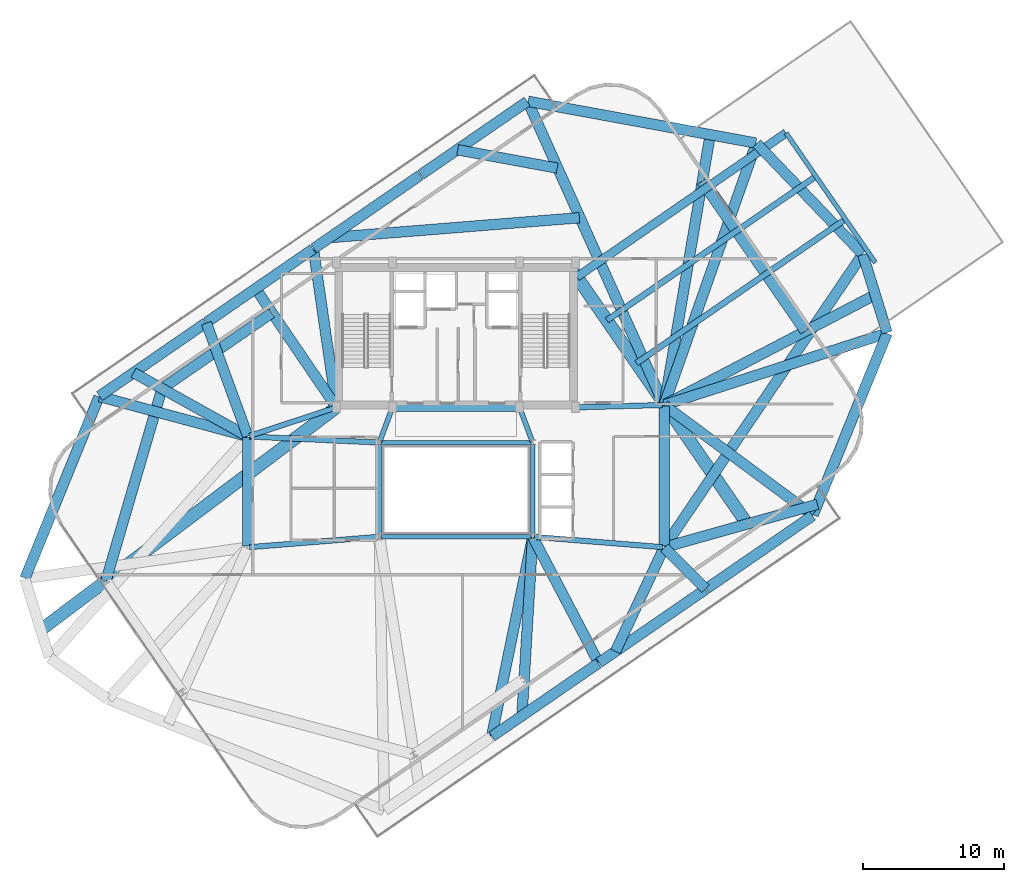
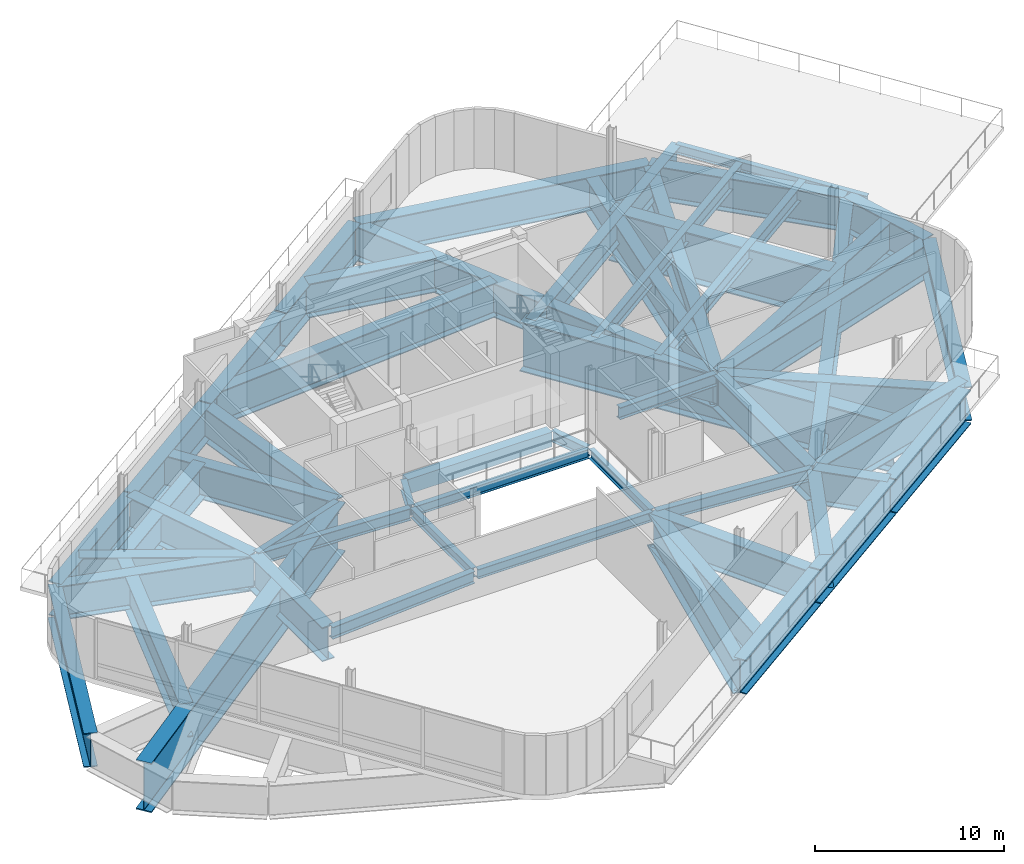
# One storey, part 9 of 18: 55 beams.
"""IFC4 building model written with IfcOpenShell, lengths in metres."""

import ifcopenshell
import ifcopenshell.guid

model = None  # the IFC model being written
_history = None  # IfcOwnerHistory: only IFC2X3 demands one
_inside = {}  # id of a spatial element -> (the spatial element, [elements in it])
_under = {}  # id of a project, library or spatial element -> (it, [spatial elements below it])
_declared = {}  # id of a project -> (the project, [libraries it declares])
_typed = {}  # id of a type object -> (the type object, [elements of that type])
_made_of = {}  # id of a material, layer set ... -> (it, [elements and type objects made of it])


def new_model(schema):
    """Start an empty IFC model of exactly this schema.

    Asked for "IFC4X3", IfcOpenShell would pick the latest addendum, in which some entities
    have other attributes; the version numbers below select the first issue.
    IFC2X3 requires an IfcOwnerHistory on every rooted entity: one is made here for all.
    """
    global model, _history
    if schema == "IFC4X3":
        model = ifcopenshell.file(schema_version=(4, 3, 0, 0))
    else:
        model = ifcopenshell.file(schema=schema)
    _inside.clear()
    _under.clear()
    _declared.clear()
    _typed.clear()
    _made_of.clear()
    _history = None
    if model.schema == "IFC2X3":
        org = make("IfcOrganization", Name="unknown")
        user = make(
            "IfcPersonAndOrganization",
            ThePerson=make("IfcPerson", FamilyName="unknown"),
            TheOrganization=org,
        )
        app = make(
            "IfcApplication",
            ApplicationDeveloper=org,
            Version="unknown",
            ApplicationFullName="unknown",
            ApplicationIdentifier="unknown",
        )
        _history = make(
            "IfcOwnerHistory",
            OwningUser=user,
            OwningApplication=app,
            ChangeAction="ADDED",
            CreationDate=0,
        )
    return model


def make(cls, **values):
    """One entity of the class cls with the attributes given. An attribute that is None is left unset."""
    return model.create_entity(
        cls, **{name: value for name, value in values.items() if value is not None}
    )


def rooted(cls, **values):
    """An entity with a GlobalId (a new one), such as an element, a storey or a relation."""
    return make(cls, GlobalId=ifcopenshell.guid.new(), OwnerHistory=_history, **values)


def si_unit(unit_type, name, prefix=None):
    """IfcSIUnit, for example si_unit("LENGTHUNIT", "METRE", prefix="MILLI")."""
    return make("IfcSIUnit", UnitType=unit_type, Prefix=prefix, Name=name)


def assignment(units):
    """IfcUnitAssignment: the units of a project."""
    return None if units is None else make("IfcUnitAssignment", Units=units)


def point(xyz):
    """IfcCartesianPoint."""
    return None if xyz is None else make("IfcCartesianPoint", Coordinates=xyz)


def direction(xyz):
    """IfcDirection."""
    return None if xyz is None else make("IfcDirection", DirectionRatios=xyz)


def frame(location, z_axis=None, x_axis=None):
    """IfcAxis2Placement3D, a coordinate frame: its origin and axes. An axis left out is left unset."""
    return make(
        "IfcAxis2Placement3D",
        Location=point(location),
        Axis=direction(z_axis),
        RefDirection=direction(x_axis),
    )


def frame_2d(location, x_axis=None):
    """IfcAxis2Placement2D, a coordinate frame in the plane: its origin and x axis."""
    return make(
        "IfcAxis2Placement2D", Location=point(location), RefDirection=direction(x_axis)
    )


def origin():
    """The frame at (0, 0, 0) with its axes left unset."""
    return frame((0.0, 0.0, 0.0))


def origin_2d():
    """The frame at (0, 0) in the plane with its x axis left unset."""
    return frame_2d((0.0, 0.0))


def place(relative_to, where):
    """IfcLocalPlacement: puts the frame where relative to a parent placement (None: the world)."""
    return make(
        "IfcLocalPlacement", PlacementRelTo=relative_to, RelativePlacement=where
    )


def context(
    kind, dimensions, precision=None, world=None, true_north=None, identifier=None
):
    """IfcGeometricRepresentationContext, for example the 3D "Model" context."""
    return make(
        "IfcGeometricRepresentationContext",
        ContextIdentifier=identifier,
        ContextType=kind,
        CoordinateSpaceDimension=dimensions,
        Precision=precision,
        WorldCoordinateSystem=world,
        TrueNorth=true_north,
    )


def subcontext(parent, identifier, kind, view, scale=None):
    """IfcGeometricRepresentationSubContext, for example "Body" below "Model"."""
    return make(
        "IfcGeometricRepresentationSubContext",
        ContextIdentifier=identifier,
        ContextType=kind,
        ParentContext=parent,
        TargetScale=scale,
        TargetView=view,
    )


def project(units=None, contexts=None):
    """IfcProject with its units and contexts."""
    return rooted(
        "IfcProject",
        Name="project",
        RepresentationContexts=contexts,
        UnitsInContext=assignment(units),
    )


def spatial(cls, under=None, at=None, **own):
    """A site, building, storey or space (cls), placed at a placement, below another one or the project."""
    s = rooted(cls, ObjectPlacement=at, **own)
    if under is not None:
        _under.setdefault(under.id(), (under, []))[1].append(s)
    return s


def profile(cls, at=None, kind="AREA", **sizes):
    """A parametric profile (cls). Its sizes go by their IFC names, for example OverallWidth=200.0."""
    return make(cls, ProfileType=kind, Position=at, **sizes)


def rectangle(**sizes):
    """IfcRectangleProfileDef."""
    return profile("IfcRectangleProfileDef", **sizes)


def i_section(**sizes):
    """IfcIShapeProfileDef."""
    return profile("IfcIShapeProfileDef", **sizes)


def extrude(swept, where, along, depth):
    """IfcExtrudedAreaSolid: the profile swept, set in the frame where, extruded along a direction by depth."""
    return make(
        "IfcExtrudedAreaSolid",
        SweptArea=swept,
        Position=where,
        ExtrudedDirection=direction(along),
        Depth=depth,
    )


def shape(context_of_items, identifier, shape_type, items):
    """IfcShapeRepresentation: the items that make up one representation, for example the "Body"."""
    return make(
        "IfcShapeRepresentation",
        ContextOfItems=context_of_items,
        RepresentationIdentifier=identifier,
        RepresentationType=shape_type,
        Items=items,
    )


def material(Name=None, Category=None):
    """IfcMaterial."""
    return make("IfcMaterial", Name=Name, Category=Category)


def material_profile(
    of_material, cross_section, Name=None, Category=None, Priority=None
):
    """IfcMaterialProfile: a cross section and its material."""
    return make(
        "IfcMaterialProfile",
        Name=Name,
        Material=of_material,
        Profile=cross_section,
        Priority=Priority,
        Category=Category,
    )


def profile_set(profiles, Name=None, composite=None):
    """IfcMaterialProfileSet."""
    return make(
        "IfcMaterialProfileSet",
        Name=Name,
        MaterialProfiles=profiles,
        CompositeProfile=composite,
    )


def made_of(thing, what):
    """Note that an element or type object is made of a material, layer set ...; save() writes the relation."""
    if what is not None:
        _made_of.setdefault(what.id(), (what, []))[1].append(thing)
    return thing


def type_object(cls, material=None, **own):
    """A type object (cls), such as IfcWallType, which elements share."""
    return made_of(rooted(cls, **own), material)


def element(
    cls,
    number,
    at=None,
    inside=None,
    cuts=None,
    type_object=None,
    material=None,
    context=None,
    identifier="Body",
    shape_type=None,
    held_by="IfcProductDefinitionShape",
    body=None,
    shapes=None,
    **own,
):
    """One element of the class cls, such as IfcWall. Its Tag is "e" and its number.

    at: its placement. inside: the storey or other place that contains it. cuts: it is an
    opening in that element (IfcRelVoidsElement). A single representation is given by context,
    identifier, shape_type and body (its items); several are given by shapes. held_by: the class
    of the entity that holds the representations. save() writes the other relations.
    """
    e = rooted(cls, Tag="e%d" % number, ObjectPlacement=at, **own)
    if body is not None:
        shapes = [shape(context, identifier, shape_type, body)]
    if shapes is not None:
        e.Representation = make(held_by, Representations=shapes)
    if inside is not None:
        _inside.setdefault(inside.id(), (inside, []))[1].append(e)
    if cuts is not None:
        rooted(
            "IfcRelVoidsElement", RelatingBuildingElement=cuts, RelatedOpeningElement=e
        )
    if type_object is not None:
        _typed.setdefault(type_object.id(), (type_object, []))[1].append(e)
    return made_of(e, material)


def aggregate(whole, parts):
    """IfcRelAggregates: a whole, such as a stair, and the parts it consists of."""
    return rooted("IfcRelAggregates", RelatingObject=whole, RelatedObjects=parts)


def save(model, path):
    """Write the relations noted so far, then the file.

    IfcRelAggregates (storeys below a building ...), IfcRelContainedInSpatialStructure (elements
    in a storey), IfcRelDefinesByType, IfcRelAssociatesMaterial and IfcRelDeclares: one each for
    every whole, place, type object, material and project.
    """
    for whole, parts in _under.values():
        aggregate(whole, parts)
    for where, things in _inside.values():
        rooted(
            "IfcRelContainedInSpatialStructure",
            RelatedElements=things,
            RelatingStructure=where,
        )
    for kind, things in _typed.values():
        rooted("IfcRelDefinesByType", RelatedObjects=things, RelatingType=kind)
    for what, things in _made_of.values():
        rooted("IfcRelAssociatesMaterial", RelatedObjects=things, RelatingMaterial=what)
    for by, libraries in _declared.values():
        rooted("IfcRelDeclares", RelatingContext=by, RelatedDefinitions=libraries)
    model.write(path)


model = new_model("IFC4")

# Units and contexts
model_context = context("Model", 3, precision=1e-05, world=origin(), true_north=direction((0.0, 1.0)))
body_context = subcontext(model_context, "Body", "Model", "MODEL_VIEW")
ifc_project = project(units=[si_unit("LENGTHUNIT", "METRE"), si_unit("AREAUNIT", "SQUARE_METRE"), si_unit("VOLUMEUNIT", "CUBIC_METRE"), si_unit("PLANEANGLEUNIT", "RADIAN"), si_unit("MASSUNIT", "GRAM", prefix="KILO")], contexts=[model_context])

# Site, building, storey
site_placement = place(None, origin())
site = spatial("IfcSite", under=ifc_project, at=site_placement, CompositionType="ELEMENT")
building_placement = place(site_placement, origin())
building = spatial("IfcBuilding", under=site, at=building_placement, Name="Varnelok Gate Tower", CompositionType="ELEMENT")
storey_placement = place(building_placement, frame((0.0, 0.0, 296.300048828125)))
storey = spatial("IfcBuildingStorey", under=building, at=storey_placement, Name="L76", CompositionType="ELEMENT", Elevation=296.300048828125)

# Beams
ifc_material_1 = material(Name="Structural Steel ASTM A572 Grade 50", Category="steel")
ifc_material_profile_1 = material_profile(ifc_material_1, i_section(OverallWidth=0.60009765625, OverallDepth=1.60009765625, WebThickness=0.028076171875, FlangeThickness=0.050048828125, FilletRadius=0.02392578125, at=origin_2d()), Name="PG1600X600")
ifc_profile_set_1 = profile_set([ifc_material_profile_1], Name="Structural Steel ASTM A572 Grade 50")
beam_type_1 = type_object("IfcBeamType", Name="BM-CANT-G1", PredefinedType="BEAM", material=ifc_profile_set_1)
beam_1_placement = place(storey_placement, frame((47.7998046875, 38.023681640625, -1.1201171875), z_axis=(0.823530910324, 0.567271398663, 0.0), x_axis=(-0.567271398663, 0.823530910324, 0.0)))
element("IfcBeam", 1, at=beam_1_placement, inside=storey, type_object=beam_type_1, Name="L76 Sky Lounge Cantilever Girder 4", PredefinedType="BEAM", context=body_context, shape_type="SweptSolid", body=[
    extrude(i_section(OverallWidth=0.60009765625, OverallDepth=1.60009765625, WebThickness=0.028076171875, FlangeThickness=0.050048828125, FilletRadius=0.02392578125, at=origin_2d()), origin(), (0.0, 0.0, 1.0), 18.050048828125),
])
ifc_material_2 = material(Name="Structural Steel ASTM A992 Grade 50", Category="steel")
ifc_material_profile_2 = material_profile(ifc_material_2, i_section(OverallWidth=0.423095703125, OverallDepth=0.947998046875, WebThickness=0.02392578125, FlangeThickness=0.042724609375, FilletRadius=0.028076171875, at=origin_2d()), Name="W36X302")
ifc_profile_set_2 = profile_set([ifc_material_profile_2], Name="Structural Steel ASTM A992 Grade 50")
beam_type_2 = type_object("IfcBeamType", Name="BM-CANT-G2", PredefinedType="BEAM", material=ifc_profile_set_2)
for number, where, z_axis, x_axis, name in (
    (2, (52.02587890625, 31.888427734375, -0.7939453125), (0.823530910324, 0.567271398663, 0.0), (-0.567271398663, 0.823530910324, 0.0), "L76 Sky Lounge Cantilever Girder 2"),
    (3, (49.927001953125, 34.935546875, -0.7939453125), (0.823530910324, 0.567271398663, 0.0), (-0.567271398663, 0.823530910324, 0.0), "L76 Sky Lounge Cantilever Girder 3"),
):
    element("IfcBeam", number, at=place(storey_placement, frame(where, z_axis=z_axis, x_axis=x_axis)), inside=storey, type_object=beam_type_2, Name=name, PredefinedType="BEAM", context=body_context, shape_type="SweptSolid", body=[
        extrude(i_section(OverallWidth=0.423095703125, OverallDepth=0.947998046875, WebThickness=0.02392578125, FlangeThickness=0.042724609375, FilletRadius=0.028076171875, at=origin_2d()), origin(), (0.0, 0.0, 1.0), 18.050048828125),
    ])
ifc_material_3 = material(Name="Concrete C60/75", Category="concrete")
ifc_material_profile_3 = material_profile(ifc_material_3, rectangle(XDim=0.60009765625, YDim=0.949951171875, at=origin_2d()), Name="RC950X600")
ifc_profile_set_3 = profile_set([ifc_material_profile_3], Name="Concrete C60/75")
beam_type_3 = type_object("IfcBeamType", Name="BM-LNT-RC950", PredefinedType="LINTEL", material=ifc_profile_set_3)
beam_2_placement = place(storey_placement, frame((34.800048828125, 28.75, -0.795166015625), z_axis=(1.0, 0.0, 0.0), x_axis=(0.0, 1.0, 0.0)))
element("IfcBeam", 4, at=beam_2_placement, inside=storey, type_object=beam_type_3, Name="L76 Core-Atrium Spine Beam 7", PredefinedType="LINTEL", context=body_context, shape_type="SweptSolid", body=[
    extrude(rectangle(XDim=0.60009765625, YDim=0.949951171875, at=origin_2d()), origin(), (0.0, 0.0, 1.0), 8.800048828125),
])
ifc_material_profile_4 = material_profile(ifc_material_2, i_section(OverallWidth=0.35498046875, OverallDepth=0.696044921875, WebThickness=0.015380859375, FlangeThickness=0.02490234375, FilletRadius=0.02001953125, at=origin_2d()), Name="W27X146")
ifc_profile_set_4 = profile_set([ifc_material_profile_4], Name="Structural Steel ASTM A992 Grade 50")
beam_type_4 = type_object("IfcBeamType", Name="BM-PRI-W27X146", PredefinedType="BEAM", material=ifc_profile_set_4)
for number, where, z_axis, x_axis, name in (
    (5, (33.791748046875, 26.362548828125, -0.66796875), (0.348719329408, 0.937227202602, 0.0), (-0.937227202602, 0.348719329408, 0.0), "L76 Core-Atrium Spine Beam 12"),
    (6, (44.608154296875, 26.362548828125, -0.66796875), (-0.348719329408, 0.937227202602, 0.0), (-0.937227202602, -0.348719329408, 0.0), "L76 Core-Atrium Spine Beam 13"),
):
    element("IfcBeam", number, at=place(storey_placement, frame(where, z_axis=z_axis, x_axis=x_axis)), inside=storey, type_object=beam_type_4, Name=name, PredefinedType="BEAM", context=body_context, shape_type="SweptSolid", body=[
        extrude(i_section(OverallWidth=0.35498046875, OverallDepth=0.696044921875, WebThickness=0.015380859375, FlangeThickness=0.02490234375, FilletRadius=0.02001953125, at=origin_2d()), origin(), (0.0, 0.0, 1.0), 2.42724609375),
    ])
ifc_material_profile_5 = material_profile(ifc_material_2, i_section(OverallWidth=0.381103515625, OverallDepth=0.77294921875, WebThickness=0.0166015625, FlangeThickness=0.027099609375, FilletRadius=0.02197265625, at=origin_2d()), Name="W30X173")
ifc_profile_set_5 = profile_set([ifc_material_profile_5], Name="Structural Steel ASTM A992 Grade 50")
beam_type_5 = type_object("IfcBeamType", Name="BM-PRI-W30X173", PredefinedType="BEAM", material=ifc_profile_set_5)
beam_3_placement = place(storey_placement, frame((24.51953125, 18.8095703125, -0.70654296875), z_axis=(0.996799206292, 0.07994587128, 0.0), x_axis=(-0.07994587128, 0.996799206292, 0.0)))
element("IfcBeam", 7, at=beam_3_placement, inside=storey, type_object=beam_type_5, Name="L76 Core-Atrium Spine Beam 14", PredefinedType="BEAM", context=body_context, shape_type="SweptSolid", body=[
    extrude(i_section(OverallWidth=0.381103515625, OverallDepth=0.77294921875, WebThickness=0.0166015625, FlangeThickness=0.027099609375, FilletRadius=0.02197265625, at=origin_2d()), origin(), (0.0, 0.0, 1.0), 9.14013671875),
])
beam_4_placement = place(storey_placement, frame((24.52001953125, 26.674560546875, -0.70654296875), z_axis=(0.99894427814, -0.045938319209, 0.0), x_axis=(0.045938319209, 0.99894427814, 0.0)))
element("IfcBeam", 8, at=beam_4_placement, inside=storey, type_object=beam_type_5, Name="L76 Core-Atrium Spine Beam 15", PredefinedType="BEAM", context=body_context, shape_type="SweptSolid", body=[
    extrude(i_section(OverallWidth=0.381103515625, OverallDepth=0.77294921875, WebThickness=0.0166015625, FlangeThickness=0.027099609375, FilletRadius=0.02197265625, at=origin_2d()), origin(), (0.0, 0.0, 1.0), 9.11962890625),
])
beam_5_placement = place(storey_placement, frame((24.513916015625, 26.717529296875, -0.70654296875), z_axis=(0.950041943788, 0.312122259768, 0.0), x_axis=(-0.312122259768, 0.950041943788, 0.0)))
element("IfcBeam", 9, at=beam_5_placement, inside=storey, type_object=beam_type_5, Name="L76 Core-Atrium Spine Beam 17", PredefinedType="BEAM", context=body_context, shape_type="SweptSolid", body=[
    extrude(i_section(OverallWidth=0.381103515625, OverallDepth=0.77294921875, WebThickness=0.0166015625, FlangeThickness=0.027099609375, FilletRadius=0.02197265625, at=origin_2d()), origin(), (0.0, 0.0, 1.0), 6.391357421875),
])
beam_6_placement = place(storey_placement, frame((44.76953125, 19.540283203125, -0.70654296875), z_axis=(0.996799206292, -0.07994587128, 0.0), x_axis=(0.07994587128, 0.996799206292, 0.0)))
element("IfcBeam", 10, at=beam_6_placement, inside=storey, type_object=beam_type_5, Name="L76 Core-Atrium Spine Beam 18", PredefinedType="BEAM", context=body_context, shape_type="SweptSolid", body=[
    extrude(i_section(OverallWidth=0.381103515625, OverallDepth=0.77294921875, WebThickness=0.0166015625, FlangeThickness=0.027099609375, FilletRadius=0.02197265625, at=origin_2d()), origin(), (0.0, 0.0, 1.0), 9.14013671875),
])
beam_7_placement = place(storey_placement, frame((47.820068359375, 28.753173828125, -0.70654296875), z_axis=(0.999635880609, 0.026983443053, 0.0), x_axis=(-0.026983443053, 0.999635880609, 0.0)))
element("IfcBeam", 11, at=beam_7_placement, inside=storey, type_object=beam_type_5, Name="L76 Core-Atrium Spine Beam 19", PredefinedType="BEAM", context=body_context, shape_type="SweptSolid", body=[
    extrude(i_section(OverallWidth=0.381103515625, OverallDepth=0.77294921875, WebThickness=0.0166015625, FlangeThickness=0.027099609375, FilletRadius=0.02197265625, at=origin_2d()), origin(), (0.0, 0.0, 1.0), 6.06201171875),
])
ifc_material_profile_6 = material_profile(ifc_material_2, i_section(OverallWidth=0.323974609375, OverallDepth=0.611083984375, WebThickness=0.0126953125, FlangeThickness=0.01904296875, FilletRadius=0.01806640625, at=origin_2d()), Name="W24X104")
ifc_profile_set_6 = profile_set([ifc_material_profile_6], Name="Structural Steel ASTM A992 Grade 50")
beam_type_6 = type_object("IfcBeamType", Name="BM-SPN-W24X104", PredefinedType="SPANDREL", material=ifc_profile_set_6)
for number, where, z_axis, x_axis, name in (
    (12, (33.8701171875, 19.550048828125, -0.62548828125), (1.0, 0.0, 0.0), (0.0, 1.0, 0.0), "L76 Core-Atrium Spine Beam 8"),
    (13, (33.8701171875, 26.25, -0.62548828125), (1.0, 0.0, 0.0), (0.0, 1.0, 0.0), "L76 Core-Atrium Spine Beam 9"),
):
    element("IfcBeam", number, at=place(storey_placement, frame(where, z_axis=z_axis, x_axis=x_axis)), inside=storey, type_object=beam_type_6, Name=name, PredefinedType="SPANDREL", context=body_context, shape_type="SweptSolid", body=[
        extrude(i_section(OverallWidth=0.323974609375, OverallDepth=0.611083984375, WebThickness=0.0126953125, FlangeThickness=0.01904296875, FilletRadius=0.01806640625, at=origin_2d()), origin(), (0.0, 0.0, 1.0), 10.659912109375),
    ])
for number, where, z_axis, x_axis, name in (
    (14, (33.75, 19.669921875, -0.62548828125), (0.0, 1.0, 0.0), (-1.0, 0.0, 0.0), "L76 Core-Atrium Spine Beam 10"),
    (15, (44.64990234375, 19.669921875, -0.62548828125), (0.0, 1.0, 0.0), (-1.0, 0.0, 0.0), "L76 Core-Atrium Spine Beam 11"),
):
    element("IfcBeam", number, at=place(storey_placement, frame(where, z_axis=z_axis, x_axis=x_axis)), inside=storey, type_object=beam_type_6, Name=name, PredefinedType="SPANDREL", context=body_context, shape_type="SweptSolid", body=[
        extrude(i_section(OverallWidth=0.323974609375, OverallDepth=0.611083984375, WebThickness=0.0126953125, FlangeThickness=0.01904296875, FilletRadius=0.01806640625, at=origin_2d()), origin(), (0.0, 0.0, 1.0), 6.4599609375),
    ])
beam_8_placement = place(storey_placement, frame((69.01806640625, 39.039306640625, -0.62548828125), z_axis=(-0.567272385427, 0.823530230612, 0.0), x_axis=(-0.823530230612, -0.567272385427, 0.0)))
element("IfcBeam", 16, at=beam_8_placement, inside=storey, type_object=beam_type_6, Name="L76 Sky Lounge Tip Trimmer Beam", PredefinedType="SPANDREL", context=body_context, shape_type="SweptSolid", body=[
    extrude(i_section(OverallWidth=0.323974609375, OverallDepth=0.611083984375, WebThickness=0.0126953125, FlangeThickness=0.01904296875, FilletRadius=0.01806640625, at=origin_2d()), origin(), (0.0, 0.0, 1.0), 11.2001953125),
])
ifc_material_profile_7 = material_profile(ifc_material_1, i_section(OverallWidth=0.75, OverallDepth=2.199951171875, WebThickness=0.031982421875, FlangeThickness=0.06005859375, FilletRadius=0.028076171875, at=origin_2d()), Name="PG2200X750")
ifc_profile_set_7 = profile_set([ifc_material_profile_7], Name="Structural Steel ASTM A572 Grade 50")
beam_type_7 = type_object("IfcBeamType", Name="BM-TR-PG2200", PredefinedType="BEAM", material=ifc_profile_set_7)
beam_9_placement = place(storey_placement, frame((24.39990234375, 18.8798828125, -1.420166015625), z_axis=(0.0, 1.0, 0.0), x_axis=(-1.0, 0.0, 0.0)))
element("IfcBeam", 17, at=beam_9_placement, inside=storey, type_object=beam_type_7, Name="L76 Wing Spine Transfer Header W", PredefinedType="BEAM", context=body_context, shape_type="SweptSolid", body=[
    extrude(i_section(OverallWidth=0.75, OverallDepth=2.199951171875, WebThickness=0.031982421875, FlangeThickness=0.06005859375, FilletRadius=0.028076171875, at=origin_2d()), origin(), (0.0, 0.0, 1.0), 7.72021484375),
])
beam_10_placement = place(storey_placement, frame((54.0, 18.8798828125, -1.420166015625), z_axis=(0.0, 1.0, 0.0), x_axis=(-1.0, 0.0, 0.0)))
element("IfcBeam", 18, at=beam_10_placement, inside=storey, type_object=beam_type_7, Name="L76 Wing Spine Transfer Header E", PredefinedType="BEAM", context=body_context, shape_type="SweptSolid", body=[
    extrude(i_section(OverallWidth=0.75, OverallDepth=2.199951171875, WebThickness=0.031982421875, FlangeThickness=0.06005859375, FilletRadius=0.028076171875, at=origin_2d()), origin(), (0.0, 0.0, 1.0), 9.960205078125),
])
for number, where, z_axis, x_axis, name in (
    (19, (41.758056640625, 5.3505859375, -1.420166015625), (0.82352888346, 0.567274341132, 0.0), (-0.567274341132, 0.82352888346, 0.0), "L76 Transfer Support Ring Girder 2"),
    (20, (49.375732421875, 10.597900390625, -1.420166015625), (0.82352888346, 0.567274341132, 0.0), (-0.567274341132, 0.82352888346, 0.0), "L76 Transfer Support Ring Girder 3"),
    (21, (56.993408203125, 15.84521484375, -1.420166015625), (0.82352888346, 0.567274341132, 0.0), (-0.567274341132, 0.82352888346, 0.0), "L76 Transfer Support Ring Girder 4"),
):
    element("IfcBeam", number, at=place(storey_placement, frame(where, z_axis=z_axis, x_axis=x_axis)), inside=storey, type_object=beam_type_7, Name=name, PredefinedType="BEAM", context=body_context, shape_type="SweptSolid", body=[
        extrude(i_section(OverallWidth=0.75, OverallDepth=2.199951171875, WebThickness=0.031982421875, FlangeThickness=0.06005859375, FilletRadius=0.028076171875, at=origin_2d()), origin(), (0.0, 0.0, 1.0), 9.169921875),
    ])
beam_11_placement = place(storey_placement, frame((64.59326171875, 21.106689453125, -1.420166015625), z_axis=(0.377173163768, 0.926142756023, 0.0), x_axis=(-0.926142756023, 0.377173163768, 0.0)))
element("IfcBeam", 22, at=beam_11_placement, inside=storey, type_object=beam_type_7, Name="L76 Transfer Support Ring Girder 5", PredefinedType="BEAM", context=body_context, shape_type="SweptSolid", body=[
    extrude(i_section(OverallWidth=0.75, OverallDepth=2.199951171875, WebThickness=0.031982421875, FlangeThickness=0.06005859375, FilletRadius=0.028076171875, at=origin_2d()), origin(), (0.0, 0.0, 1.0), 13.91552734375),
])
beam_12_placement = place(storey_placement, frame((69.844970703125, 34.069580078125, -1.420166015625), z_axis=(-0.296295883907, 0.955096198914, 0.0), x_axis=(-0.955096198914, -0.296295883907, 0.0)))
element("IfcBeam", 23, at=beam_12_placement, inside=storey, type_object=beam_type_7, Name="L76 Transfer Support Ring Girder 6", PredefinedType="BEAM", context=body_context, shape_type="SweptSolid", body=[
    extrude(i_section(OverallWidth=0.75, OverallDepth=2.199951171875, WebThickness=0.031982421875, FlangeThickness=0.06005859375, FilletRadius=0.028076171875, at=origin_2d()), origin(), (0.0, 0.0, 1.0), 5.796630859375),
])
beam_13_placement = place(storey_placement, frame((68.087890625, 39.673095703125, -1.420166015625), z_axis=(-0.691791004343, 0.722097781682, 0.0), x_axis=(-0.722097781682, -0.691791004343, 0.0)))
element("IfcBeam", 24, at=beam_13_placement, inside=storey, type_object=beam_type_7, Name="L76 Transfer Support Ring Girder 7", PredefinedType="BEAM", context=body_context, shape_type="SweptSolid", body=[
    extrude(i_section(OverallWidth=0.75, OverallDepth=2.199951171875, WebThickness=0.031982421875, FlangeThickness=0.06005859375, FilletRadius=0.028076171875, at=origin_2d()), origin(), (0.0, 0.0, 1.0), 10.85107421875),
])
beam_14_placement = place(storey_placement, frame((60.514404296875, 47.544677734375, -1.420166015625), z_axis=(-0.983601468349, 0.180355624982, 0.0), x_axis=(-0.180355624982, -0.983601468349, 0.0)))
element("IfcBeam", 25, at=beam_14_placement, inside=storey, type_object=beam_type_7, Name="L76 Transfer Support Ring Girder 8", PredefinedType="BEAM", context=body_context, shape_type="SweptSolid", body=[
    extrude(i_section(OverallWidth=0.75, OverallDepth=2.199951171875, WebThickness=0.031982421875, FlangeThickness=0.06005859375, FilletRadius=0.028076171875, at=origin_2d()), origin(), (0.0, 0.0, 1.0), 16.452392578125),
])
for number, where, z_axis, x_axis, name in (
    (26, (44.259765625, 50.49658203125, -1.420166015625), (-0.823537450738, -0.567261903562, 0.0), (0.567261903562, -0.823537450738, 0.0), "L76 Transfer Support Ring Girder 9"),
    (27, (36.64208984375, 45.249267578125, -1.420166015625), (-0.82354988809, -0.567243846883, 0.0), (0.567243846883, -0.82354988809, 0.0), "L76 Transfer Support Ring Girder 10"),
    (28, (29.0244140625, 40.002197265625, -1.420166015625), (-0.823537450738, -0.567261903562, 0.0), (0.567261903562, -0.823537450738, 0.0), "L76 Transfer Support Ring Girder 11"),
    (29, (21.40673828125, 34.7548828125, -1.420166015625), (-0.823537450738, -0.567261903562, 0.0), (0.567261903562, -0.823537450738, 0.0), "L76 Transfer Support Ring Girder 12"),
):
    element("IfcBeam", number, at=place(storey_placement, frame(where, z_axis=z_axis, x_axis=x_axis)), inside=storey, type_object=beam_type_7, Name=name, PredefinedType="BEAM", context=body_context, shape_type="SweptSolid", body=[
        extrude(i_section(OverallWidth=0.75, OverallDepth=2.199951171875, WebThickness=0.031982421875, FlangeThickness=0.06005859375, FilletRadius=0.028076171875, at=origin_2d()), origin(), (0.0, 0.0, 1.0), 9.170166015625),
    ])
beam_15_placement = place(storey_placement, frame((13.806884765625, 29.493408203125, -1.420166015625), z_axis=(-0.377167035257, -0.926145251845, 0.0), x_axis=(0.926145251845, -0.377167035257, 0.0)))
element("IfcBeam", 30, at=beam_15_placement, inside=storey, type_object=beam_type_7, Name="L76 Transfer Support Ring Girder 13", PredefinedType="BEAM", context=body_context, shape_type="SweptSolid", body=[
    extrude(i_section(OverallWidth=0.75, OverallDepth=2.199951171875, WebThickness=0.031982421875, FlangeThickness=0.06005859375, FilletRadius=0.028076171875, at=origin_2d()), origin(), (0.0, 0.0, 1.0), 13.915771484375),
])
beam_16_placement = place(storey_placement, frame((44.641845703125, 19.5107421875, -1.420166015625), z_axis=(-0.201439190412, -0.979501022238, 0.0), x_axis=(0.979501022238, -0.201439190412, 0.0)))
element("IfcBeam", 31, at=beam_16_placement, inside=storey, type_object=beam_type_7, Name="L76 Radial Transfer Main Girder 2", PredefinedType="BEAM", context=body_context, shape_type="SweptSolid", body=[
    extrude(i_section(OverallWidth=0.75, OverallDepth=2.199951171875, WebThickness=0.031982421875, FlangeThickness=0.06005859375, FilletRadius=0.028076171875, at=origin_2d()), origin(), (0.0, 0.0, 1.0), 14.439453125),
])
beam_17_placement = place(storey_placement, frame((44.66845703125, 19.5146484375, -1.420166015625), z_axis=(0.463361333665, -0.886169438914, 0.0), x_axis=(0.886169438914, 0.463361333665, 0.0)))
element("IfcBeam", 32, at=beam_17_placement, inside=storey, type_object=beam_type_7, Name="L76 Radial Transfer Main Girder 3", PredefinedType="BEAM", context=body_context, shape_type="SweptSolid", body=[
    extrude(i_section(OverallWidth=0.75, OverallDepth=2.199951171875, WebThickness=0.031982421875, FlangeThickness=0.06005859375, FilletRadius=0.028076171875, at=origin_2d()), origin(), (0.0, 0.0, 1.0), 10.0478515625),
])
beam_18_placement = place(storey_placement, frame((54.0283203125, 18.771484375, -1.420166015625), z_axis=(0.705058714793, -0.709148932661, 0.0), x_axis=(0.709148932661, 0.705058714793, 0.0)))
element("IfcBeam", 33, at=beam_18_placement, inside=storey, type_object=beam_type_7, Name="L76 Radial Transfer Main Girder 4", PredefinedType="BEAM", context=body_context, shape_type="SweptSolid", body=[
    extrude(i_section(OverallWidth=0.75, OverallDepth=2.199951171875, WebThickness=0.031982421875, FlangeThickness=0.06005859375, FilletRadius=0.028076171875, at=origin_2d()), origin(), (0.0, 0.0, 1.0), 4.11865234375),
])
beam_19_placement = place(storey_placement, frame((54.031982421875, 28.896240234375, -1.420166015625), z_axis=(0.803021745234, -0.595949726639, 0.0), x_axis=(0.595949726639, 0.803021745234, 0.0)))
element("IfcBeam", 34, at=beam_19_placement, inside=storey, type_object=beam_type_7, Name="L76 Radial Transfer Main Girder 5", PredefinedType="BEAM", context=body_context, shape_type="SweptSolid", body=[
    extrude(i_section(OverallWidth=0.75, OverallDepth=2.199951171875, WebThickness=0.031982421875, FlangeThickness=0.06005859375, FilletRadius=0.028076171875, at=origin_2d()), origin(), (0.0, 0.0, 1.0), 13.093017578125),
])
beam_20_placement = place(storey_placement, frame((54.0380859375, 28.932373046875, -1.420166015625), z_axis=(0.951771605184, 0.306807450309, 0.0), x_axis=(-0.306807450309, 0.951771605184, 0.0)))
element("IfcBeam", 35, at=beam_20_placement, inside=storey, type_object=beam_type_7, Name="L76 Radial Transfer Main Girder 6", PredefinedType="BEAM", context=body_context, shape_type="SweptSolid", body=[
    extrude(i_section(OverallWidth=0.75, OverallDepth=2.199951171875, WebThickness=0.031982421875, FlangeThickness=0.06005859375, FilletRadius=0.028076171875, at=origin_2d()), origin(), (0.0, 0.0, 1.0), 16.580078125),
])
beam_21_placement = place(storey_placement, frame((54.0224609375, 18.8330078125, -1.420166015625), z_axis=(0.56072057217, 0.82800509657, 0.0), x_axis=(-0.82800509657, 0.56072057217, 0.0)))
element("IfcBeam", 36, at=beam_21_placement, inside=storey, type_object=beam_type_7, Name="L76 Radial Transfer Main Girder 7", PredefinedType="BEAM", context=body_context, shape_type="SweptSolid", body=[
    extrude(i_section(OverallWidth=0.75, OverallDepth=2.199951171875, WebThickness=0.031982421875, FlangeThickness=0.06005859375, FilletRadius=0.028076171875, at=origin_2d()), origin(), (0.0, 0.0, 1.0), 25.09423828125),
])
beam_22_placement = place(storey_placement, frame((54.01318359375, 28.957763671875, -1.420166015625), z_axis=(0.33204496782, 0.943263557732, 0.0), x_axis=(-0.943263557732, 0.33204496782, 0.0)))
element("IfcBeam", 37, at=beam_22_placement, inside=storey, type_object=beam_type_7, Name="L76 Radial Transfer Main Girder 8", PredefinedType="BEAM", context=body_context, shape_type="SweptSolid", body=[
    extrude(i_section(OverallWidth=0.75, OverallDepth=2.199951171875, WebThickness=0.031982421875, FlangeThickness=0.06005859375, FilletRadius=0.028076171875, at=origin_2d()), origin(), (0.0, 0.0, 1.0), 19.6572265625),
])
beam_23_placement = place(storey_placement, frame((53.983642578125, 28.95654296875, -1.420166015625), z_axis=(-0.409934923086, 0.912114772841, 0.0), x_axis=(-0.912114772841, -0.409934923086, 0.0)))
element("IfcBeam", 38, at=beam_23_placement, inside=storey, type_object=beam_type_7, Name="L76 Radial Transfer Main Girder 9", PredefinedType="BEAM", context=body_context, shape_type="SweptSolid", body=[
    extrude(i_section(OverallWidth=0.75, OverallDepth=2.199951171875, WebThickness=0.031982421875, FlangeThickness=0.06005859375, FilletRadius=0.028076171875, at=origin_2d()), origin(), (0.0, 0.0, 1.0), 23.600341796875),
])
beam_24_placement = place(storey_placement, frame((30.694091796875, 28.78955078125, -1.420166015625), z_axis=(-0.144169988651, 0.98955293662, 0.0), x_axis=(-0.98955293662, -0.144169988651, 0.0)))
element("IfcBeam", 39, at=beam_24_placement, inside=storey, type_object=beam_type_7, Name="L76 Radial Transfer Main Girder 11", PredefinedType="BEAM", context=body_context, shape_type="SweptSolid", body=[
    extrude(i_section(OverallWidth=0.75, OverallDepth=2.199951171875, WebThickness=0.031982421875, FlangeThickness=0.06005859375, FilletRadius=0.028076171875, at=origin_2d()), origin(), (0.0, 0.0, 1.0), 11.313720703125),
])
beam_25_placement = place(storey_placement, frame((24.38623046875, 26.717529296875, -1.420166015625), z_axis=(-0.343355879297, 0.939205376982, 0.0), x_axis=(-0.939205376982, -0.343355879297, 0.0)))
element("IfcBeam", 40, at=beam_25_placement, inside=storey, type_object=beam_type_7, Name="L76 Radial Transfer Main Girder 12", PredefinedType="BEAM", context=body_context, shape_type="SweptSolid", body=[
    extrude(i_section(OverallWidth=0.75, OverallDepth=2.199951171875, WebThickness=0.031982421875, FlangeThickness=0.06005859375, FilletRadius=0.028076171875, at=origin_2d()), origin(), (0.0, 0.0, 1.0), 8.541748046875),
])
beam_26_placement = place(storey_placement, frame((24.361328125, 26.6904296875, -1.420166015625), z_axis=(-0.965558730046, 0.260185201024, 0.0), x_axis=(-0.260185201024, -0.965558730046, 0.0)))
element("IfcBeam", 41, at=beam_26_placement, inside=storey, type_object=beam_type_7, Name="L76 Radial Transfer Main Girder 13", PredefinedType="BEAM", context=body_context, shape_type="SweptSolid", body=[
    extrude(i_section(OverallWidth=0.75, OverallDepth=2.199951171875, WebThickness=0.031982421875, FlangeThickness=0.06005859375, FilletRadius=0.028076171875, at=origin_2d()), origin(), (0.0, 0.0, 1.0), 10.875244140625),
])
beam_27_placement = place(storey_placement, frame((44.64404296875, 19.4501953125, -1.420166015625), z_axis=(-0.059783877477, -0.998211344352, 0.0), x_axis=(0.998211344352, -0.059783877477, 0.0)))
element("IfcBeam", 42, at=beam_27_placement, inside=storey, type_object=beam_type_7, Name="L76 Column Transfer Carrier Girder 2", PredefinedType="BEAM", context=body_context, shape_type="SweptSolid", body=[
    extrude(i_section(OverallWidth=0.75, OverallDepth=2.199951171875, WebThickness=0.031982421875, FlangeThickness=0.06005859375, FilletRadius=0.028076171875, at=origin_2d()), origin(), (0.0, 0.0, 1.0), 12.655517578125),
])
beam_28_placement = place(storey_placement, frame((53.95751953125, 18.70947265625, -1.420166015625), z_axis=(-0.423736341206, -0.905785577905, 0.0), x_axis=(0.905785577905, -0.423736341206, 0.0)))
element("IfcBeam", 43, at=beam_28_placement, inside=storey, type_object=beam_type_7, Name="L76 Column Transfer Carrier Girder 3", PredefinedType="BEAM", context=body_context, shape_type="SweptSolid", body=[
    extrude(i_section(OverallWidth=0.75, OverallDepth=2.199951171875, WebThickness=0.031982421875, FlangeThickness=0.06005859375, FilletRadius=0.028076171875, at=origin_2d()), origin(), (0.0, 0.0, 1.0), 8.072021484375),
])
beam_29_placement = place(storey_placement, frame((54.09619140625, 18.826904296875, -1.420166015625), z_axis=(0.962780543333, 0.270284341721, 0.0), x_axis=(-0.270284341721, 0.962780543333, 0.0)))
element("IfcBeam", 44, at=beam_29_placement, inside=storey, type_object=beam_type_7, Name="L76 Column Transfer Carrier Girder 4", PredefinedType="BEAM", context=body_context, shape_type="SweptSolid", body=[
    extrude(i_section(OverallWidth=0.75, OverallDepth=2.199951171875, WebThickness=0.031982421875, FlangeThickness=0.06005859375, FilletRadius=0.028076171875, at=origin_2d()), origin(), (0.0, 0.0, 1.0), 11.221435546875),
])
beam_30_placement = place(storey_placement, frame((54.088623046875, 28.96630859375, -1.420166015625), z_axis=(0.886413598709, 0.462894082943, 0.0), x_axis=(-0.462894082943, 0.886413598709, 0.0)))
element("IfcBeam", 45, at=beam_30_placement, inside=storey, type_object=beam_type_7, Name="L76 Column Transfer Carrier Girder 5", PredefinedType="BEAM", context=body_context, shape_type="SweptSolid", body=[
    extrude(i_section(OverallWidth=0.75, OverallDepth=2.199951171875, WebThickness=0.031982421875, FlangeThickness=0.06005859375, FilletRadius=0.028076171875, at=origin_2d()), origin(), (0.0, 0.0, 1.0), 16.834228515625),
])
beam_31_placement = place(storey_placement, frame((54.016845703125, 29.0185546875, -1.420166015625), z_axis=(0.168053631183, 0.985777853802, 0.0), x_axis=(-0.985777853802, 0.168053631183, 0.0)))
element("IfcBeam", 46, at=beam_31_placement, inside=storey, type_object=beam_type_7, Name="L76 Column Transfer Carrier Girder 6", PredefinedType="BEAM", context=body_context, shape_type="SweptSolid", body=[
    extrude(i_section(OverallWidth=0.75, OverallDepth=2.199951171875, WebThickness=0.031982421875, FlangeThickness=0.06005859375, FilletRadius=0.028076171875, at=origin_2d()), origin(), (0.0, 0.0, 1.0), 19.395751953125),
])
beam_32_placement = place(storey_placement, frame((46.3955078125, 45.760009765625, -1.420166015625), z_axis=(-0.983441723818, 0.181224655756, 0.0), x_axis=(-0.181224655756, -0.983441723818, 0.0)))
element("IfcBeam", 47, at=beam_32_placement, inside=storey, type_object=beam_type_7, Name="L76 Column Transfer Header Girder 7", PredefinedType="BEAM", context=body_context, shape_type="SweptSolid", body=[
    extrude(i_section(OverallWidth=0.75, OverallDepth=2.199951171875, WebThickness=0.031982421875, FlangeThickness=0.06005859375, FilletRadius=0.028076171875, at=origin_2d()), origin(), (0.0, 0.0, 1.0), 7.18994140625),
])
beam_33_placement = place(storey_placement, frame((47.974609375, 42.234375, -1.420166015625), z_axis=(-0.996835675353, -0.079489850574, 0.0), x_axis=(0.079489850574, -0.996835675353, 0.0)))
element("IfcBeam", 48, at=beam_33_placement, inside=storey, type_object=beam_type_7, Name="L76 Column Transfer Header Girder 8", PredefinedType="BEAM", context=body_context, shape_type="SweptSolid", body=[
    extrude(i_section(OverallWidth=0.75, OverallDepth=2.199951171875, WebThickness=0.031982421875, FlangeThickness=0.06005859375, FilletRadius=0.028076171875, at=origin_2d()), origin(), (0.0, 0.0, 1.0), 17.782958984375),
])
beam_34_placement = place(storey_placement, frame((30.643798828125, 28.832763671875, -1.420166015625), z_axis=(-0.562936906079, 0.826499872822, 0.0), x_axis=(-0.826499872822, -0.562936906079, 0.0)))
element("IfcBeam", 49, at=beam_34_placement, inside=storey, type_object=beam_type_7, Name="L76 Column Transfer Carrier Girder 9", PredefinedType="BEAM", context=body_context, shape_type="SweptSolid", body=[
    extrude(i_section(OverallWidth=0.75, OverallDepth=2.199951171875, WebThickness=0.031982421875, FlangeThickness=0.06005859375, FilletRadius=0.028076171875, at=origin_2d()), origin(), (0.0, 0.0, 1.0), 10.1171875),
])
beam_35_placement = place(storey_placement, frame((24.312744140625, 26.728759765625, -1.420166015625), z_axis=(-0.873234166152, 0.487300821941, 0.0), x_axis=(-0.487300821941, -0.873234166152, 0.0)))
element("IfcBeam", 50, at=beam_35_placement, inside=storey, type_object=beam_type_7, Name="L76 Column Transfer Carrier Girder 10", PredefinedType="BEAM", context=body_context, shape_type="SweptSolid", body=[
    extrude(i_section(OverallWidth=0.75, OverallDepth=2.199951171875, WebThickness=0.031982421875, FlangeThickness=0.06005859375, FilletRadius=0.028076171875, at=origin_2d()), origin(), (0.0, 0.0, 1.0), 9.2099609375),
])
beam_36_placement = place(storey_placement, frame((26.086669921875, 35.452880859375, -1.420166015625), z_axis=(-0.8235334302, -0.56726774044, 0.0), x_axis=(0.56726774044, -0.8235334302, 0.0)))
element("IfcBeam", 51, at=beam_36_placement, inside=storey, type_object=beam_type_7, Name="L76 Upper Perimeter Transfer Ring 9", PredefinedType="BEAM", context=body_context, shape_type="SweptSolid", body=[
    extrude(i_section(OverallWidth=0.75, OverallDepth=2.199951171875, WebThickness=0.031982421875, FlangeThickness=0.06005859375, FilletRadius=0.028076171875, at=origin_2d()), origin(), (0.0, 0.0, 1.0), 9.420166015625),
])
beam_37_placement = place(storey_placement, frame((18.28466796875, 30.048095703125, -1.420166015625), z_axis=(-0.280291062593, -0.959915058862, 0.0), x_axis=(0.959915058862, -0.280291062593, 0.0)))
element("IfcBeam", 52, at=beam_37_placement, inside=storey, type_object=beam_type_7, Name="L76 Upper Perimeter Transfer Ring 10", PredefinedType="BEAM", context=body_context, shape_type="SweptSolid", body=[
    extrude(i_section(OverallWidth=0.75, OverallDepth=2.199951171875, WebThickness=0.031982421875, FlangeThickness=0.06005859375, FilletRadius=0.028076171875, at=origin_2d()), origin(), (0.0, 0.0, 1.0), 14.171630859375),
])
ifc_material_profile_8 = material_profile(ifc_material_1, i_section(OverallWidth=0.89990234375, OverallDepth=3.199951171875, WebThickness=0.0400390625, FlangeThickness=0.074951171875, FilletRadius=0.030029296875, at=origin_2d()), Name="PG3200X900")
ifc_profile_set_8 = profile_set([ifc_material_profile_8], Name="Structural Steel ASTM A572 Grade 50")
beam_type_8 = type_object("IfcBeamType", Name="BM-TR-PG3200", PredefinedType="BEAM", material=ifc_profile_set_8)
beam_38_placement = place(storey_placement, frame((30.6201171875, 28.68994140625, -1.920166015625), z_axis=(-0.798953940183, -0.601392219326, 0.0), x_axis=(0.601392219326, -0.798953940183, 0.0)))
element("IfcBeam", 53, at=beam_38_placement, inside=storey, type_object=beam_type_8, Name="L76 Column Transfer Carrier Girder 11", PredefinedType="BEAM", context=body_context, shape_type="SweptSolid", body=[
    extrude(i_section(OverallWidth=0.89990234375, OverallDepth=3.199951171875, WebThickness=0.0400390625, FlangeThickness=0.074951171875, FilletRadius=0.030029296875, at=origin_2d()), origin(), (0.0, 0.0, 1.0), 26.216796875),
])
beam_39_placement = place(storey_placement, frame((59.876953125, 20.49072265625, -1.920166015625), z_axis=(-0.567269307273, 0.823532350928, 0.0), x_axis=(-0.823532350928, -0.567269307273, 0.0)))
element("IfcBeam", 54, at=beam_39_placement, inside=storey, type_object=beam_type_8, Name="L76 Sky Lounge Backspan Anchor Girder", PredefinedType="BEAM", context=body_context, shape_type="SweptSolid", body=[
    extrude(i_section(OverallWidth=0.89990234375, OverallDepth=3.199951171875, WebThickness=0.0400390625, FlangeThickness=0.074951171875, FilletRadius=0.030029296875, at=origin_2d()), origin(), (0.0, 0.0, 1.0), 21.7099609375),
])
beam_40_placement = place(storey_placement, frame((64.081787109375, 34.218505859375, -1.920166015625), z_axis=(-0.567275665288, 0.823527971336, 0.0), x_axis=(-0.823527971336, -0.567275665288, 0.0)))
element("IfcBeam", 55, at=beam_40_placement, inside=storey, type_object=beam_type_8, Name="L76 Sky Lounge East Fulcrum Girder", PredefinedType="BEAM", context=body_context, shape_type="SweptSolid", body=[
    extrude(i_section(OverallWidth=0.89990234375, OverallDepth=3.199951171875, WebThickness=0.0400390625, FlangeThickness=0.074951171875, FilletRadius=0.030029296875, at=origin_2d()), origin(), (0.0, 0.0, 1.0), 12.93994140625),
])

save(model, "model.ifc")
